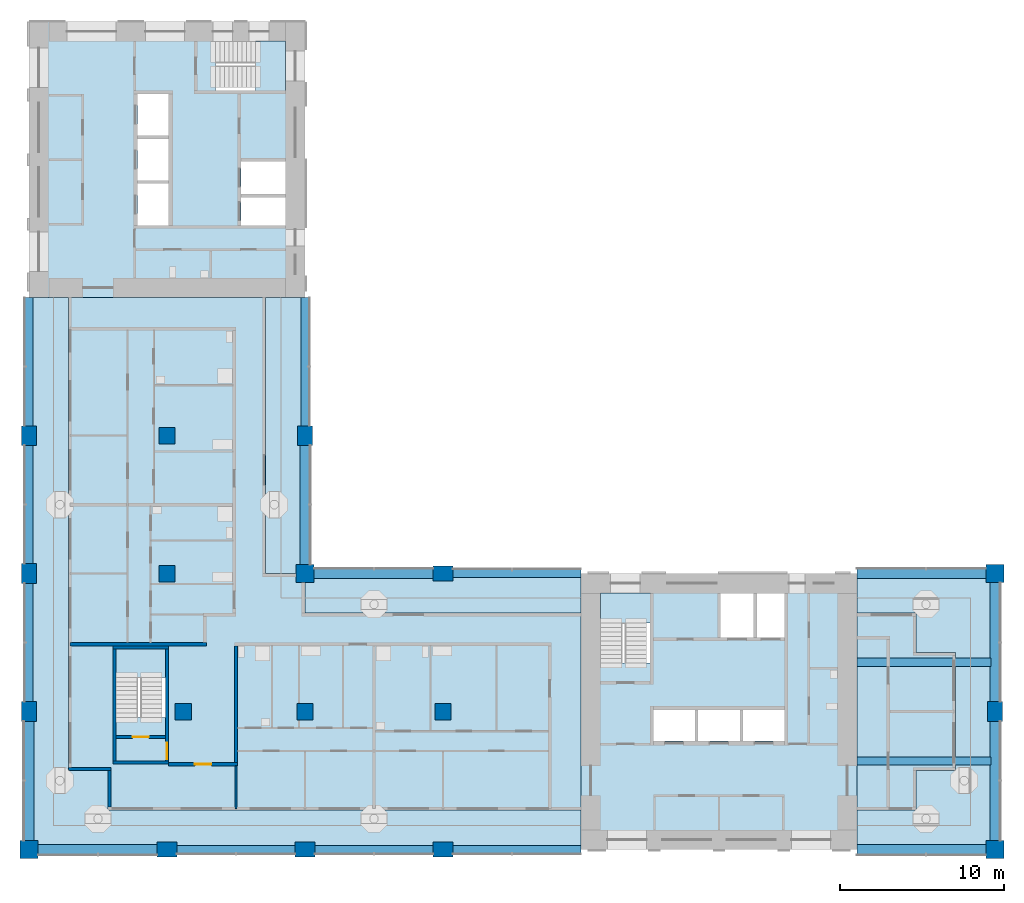
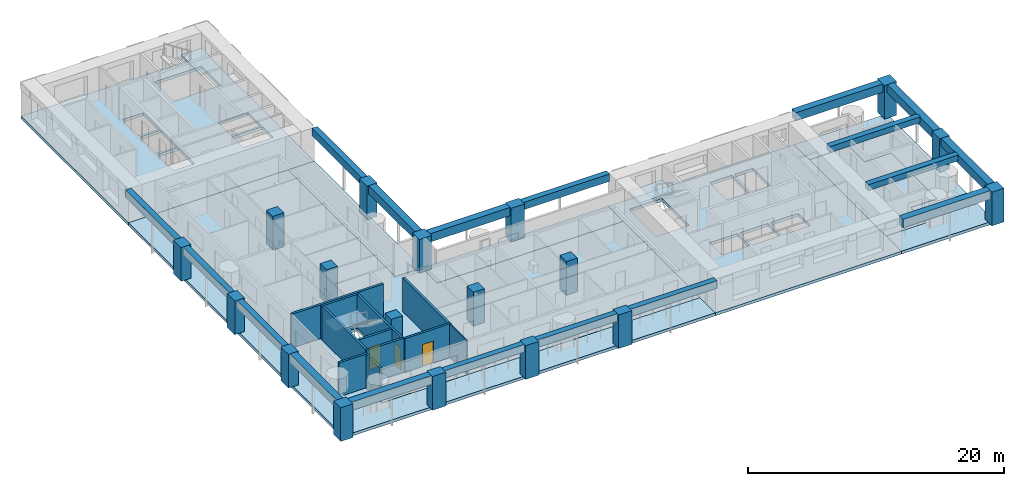
# One storey, part 1 of 13: 18 beams, 18 columns, 12 slabs, 11 walls, 3 doors, 3 openings, 3 elements without a shape of their own.
"""IFC4 building model written with IfcOpenShell, lengths in metres."""

from ifc_helpers import new_model, si_unit, direction, frame, frame_2d, origin, origin_2d, place, context, subcontext, project, spatial, polyline, rectangle, outline, extrude, material, layer, layer_set, material_profile, profile_set, type_object, element, fill, aggregate, save


model = new_model("IFC4")

# Units and contexts
model_context = context("Model", 3, precision=1e-05, world=origin(), true_north=direction((0.0, 1.0)))
body_context = subcontext(model_context, "Body", "Model", "MODEL_VIEW")
ifc_project = project(units=[si_unit("LENGTHUNIT", "METRE"), si_unit("AREAUNIT", "SQUARE_METRE"), si_unit("VOLUMEUNIT", "CUBIC_METRE"), si_unit("PLANEANGLEUNIT", "RADIAN"), si_unit("MASSUNIT", "GRAM", prefix="KILO")], contexts=[model_context])

# Site, building, storey
site_placement = place(None, origin())
site = spatial("IfcSite", under=ifc_project, at=site_placement, CompositionType="ELEMENT")
building_placement = place(site_placement, origin())
building = spatial("IfcBuilding", under=site, at=building_placement, Name="Vermilion Gate Residences", CompositionType="ELEMENT")
storey_placement = place(building_placement, frame((0.0, 0.0, 179.199951171875)))
storey = spatial("IfcBuildingStorey", under=building, at=storey_placement, Name="L46", CompositionType="ELEMENT", Elevation=179.199951171875)

# Columns
ifc_material_1 = material(Name="Concrete C60", Category="concrete")
ifc_material_profile_1 = material_profile(ifc_material_1, rectangle(XDim=1.0, YDim=1.0, at=origin_2d()), Name="RC-1000x1000")
ifc_profile_set_1 = profile_set([ifc_material_profile_1], Name="Concrete C60")
column_type_1 = type_object("IfcColumnType", Name="RC COLUMN 1000 X 1000 C60", PredefinedType="COLUMN", material=ifc_profile_set_1)
for number, where, z_axis, x_axis, name in (
    (1, (17.800048828125, 16.800048828125, 0.0), (0.0, 0.0, 1.0), (1.0, 0.0, 0.0), "Column 3-C L46"),
    (2, (16.800048828125, 25.199951171875, 0.0), (0.0, 0.0, 1.0), (1.0, 0.0, 0.0), "Column 3-D L46"),
    (3, (16.800048828125, 33.60009765625, 0.0), (0.0, 0.0, 1.0), (1.0, 0.0, 0.0), "Column 3-E L46"),
    (4, (25.199951171875, 16.800048828125, 0.0), (0.0, 0.0, 1.0), (1.0, 0.0, 0.0), "Column 4-C L46"),
    (5, (33.60009765625, 16.800048828125, 0.0), (0.0, 0.0, 1.0), (1.0, 0.0, 0.0), "Column 5-C L46"),
):
    element("IfcColumn", number, at=place(storey_placement, frame(where, z_axis=z_axis, x_axis=x_axis)), inside=storey, type_object=column_type_1, Name=name, PredefinedType="COLUMN", context=body_context, shape_type="SweptSolid", body=[
        extrude(rectangle(XDim=1.0, YDim=1.0, at=origin_2d()), origin(), (0.0, 0.0, 1.0), 3.219970703125),
    ])
ifc_material_2 = material(Name="Concrete C60", Category="concrete")
ifc_material_profile_2 = material_profile(ifc_material_2, rectangle(XDim=1.10009765625, YDim=1.10009765625, at=origin_2d()), Name="RC-1100x1100")
ifc_profile_set_2 = profile_set([ifc_material_profile_2], Name="Concrete C60")
column_type_2 = type_object("IfcColumnType", Name="RC COLUMN 1100 X 1100 C60", PredefinedType="COLUMN", material=ifc_profile_set_2)
for number, where, z_axis, x_axis, name in (
    (6, (8.39990234375, 8.39990234375, 0.0), (0.0, 0.0, 1.0), (1.0, 0.0, 0.0), "Column 2-B L46"),
    (7, (25.199951171875, 25.199951171875, 0.0), (0.0, 0.0, 1.0), (1.0, 0.0, 0.0), "Column 4-D L46"),
    (8, (67.199951171875, 8.39990234375, 0.0), (0.0, 0.0, 1.0), (1.0, 0.0, 0.0), "Column 9-B L46"),
    (9, (67.199951171875, 25.199951171875, 0.0), (0.0, 0.0, 1.0), (1.0, 0.0, 0.0), "Column 9-D L46"),
):
    element("IfcColumn", number, at=place(storey_placement, frame(where, z_axis=z_axis, x_axis=x_axis)), inside=storey, type_object=column_type_2, Name=name, PredefinedType="COLUMN", context=body_context, shape_type="SweptSolid", body=[
        extrude(rectangle(XDim=1.10009765625, YDim=1.10009765625, at=origin_2d()), origin(), (0.0, 0.0, 1.0), 3.219970703125),
    ])
ifc_material_3 = material(Name="Concrete C60", Category="concrete")
ifc_material_profile_3 = material_profile(ifc_material_3, rectangle(XDim=1.199951171875, YDim=0.89990234375, at=origin_2d()), Name="RC-1200x900")
ifc_profile_set_3 = profile_set([ifc_material_profile_3], Name="Concrete C60")
column_type_3 = type_object("IfcColumnType", Name="RC COLUMN 1200 X 900 C60", PredefinedType="COLUMN", material=ifc_profile_set_3)
for number, where, z_axis, x_axis, name in (
    (10, (8.39990234375, 16.800048828125, 0.0), (0.0, 0.0, 1.0), (0.0, 1.0, 0.0), "Column 2-C L46"),
    (11, (8.39990234375, 25.199951171875, 0.0), (0.0, 0.0, 1.0), (0.0, 1.0, 0.0), "Column 2-D L46"),
    (12, (8.39990234375, 33.60009765625, 0.0), (0.0, 0.0, 1.0), (0.0, 1.0, 0.0), "Column 2-E L46"),
    (13, (16.800048828125, 8.39990234375, 0.0), (0.0, 0.0, 1.0), (1.0, 0.0, 0.0), "Column 3-B L46"),
    (14, (25.199951171875, 8.39990234375, 0.0), (0.0, 0.0, 1.0), (1.0, 0.0, 0.0), "Column 4-B L46"),
    (15, (25.199951171875, 33.60009765625, 0.0), (0.0, 0.0, 1.0), (0.0, 1.0, 0.0), "Column 4-E L46"),
    (16, (33.60009765625, 8.39990234375, 0.0), (0.0, 0.0, 1.0), (1.0, 0.0, 0.0), "Column 5-B L46"),
    (17, (33.60009765625, 25.199951171875, 0.0), (0.0, 0.0, 1.0), (1.0, 0.0, 0.0), "Column 5-D L46"),
    (18, (67.199951171875, 16.800048828125, 0.0), (0.0, 0.0, 1.0), (0.0, 1.0, 0.0), "Column 9-C L46"),
):
    element("IfcColumn", number, at=place(storey_placement, frame(where, z_axis=z_axis, x_axis=x_axis)), inside=storey, type_object=column_type_3, Name=name, PredefinedType="COLUMN", context=body_context, shape_type="SweptSolid", body=[
        extrude(rectangle(XDim=1.199951171875, YDim=0.89990234375, at=origin_2d()), origin(), (0.0, 0.0, 1.0), 3.219970703125),
    ])

# Beams
ifc_material_4 = material(Name="Concrete C60 red-oxide pigmented", Category="concrete")
ifc_material_profile_4 = material_profile(ifc_material_4, rectangle(XDim=0.60009765625, YDim=0.800048828125, at=origin_2d()), Name="RC-600x800")
ifc_profile_set_4 = profile_set([ifc_material_profile_4], Name="Concrete C60 red-oxide pigmented")
beam_type_1 = type_object("IfcBeamType", Name="RC CORNER EDGE BEAM 600 X 800 C60", PredefinedType="BEAM", material=ifc_profile_set_4)
for number, where, z_axis, x_axis, name in (
    (19, (8.949951171875, 8.39990234375, 2.820068359375), (1.0, 0.0, 0.0), (0.0, 1.0, 0.0), "Corner edge beam L46 1"),
    (20, (8.39990234375, 8.949951171875, 2.820068359375), (0.0, 1.0, 0.0), (-1.0, 0.0, 0.0), "Corner edge beam L46 2"),
    (21, (25.199951171875, 25.75, 2.820068359375), (0.0, 1.0, 0.0), (-1.0, 0.0, 0.0), "Corner edge beam L46 7"),
    (22, (25.75, 25.199951171875, 2.820068359375), (1.0, 0.0, 0.0), (0.0, 1.0, 0.0), "Corner edge beam L46 10"),
):
    element("IfcBeam", number, at=place(storey_placement, frame(where, z_axis=z_axis, x_axis=x_axis)), inside=storey, type_object=beam_type_1, Name=name, PredefinedType="BEAM", context=body_context, shape_type="SweptSolid", body=[
        extrude(rectangle(XDim=0.60009765625, YDim=0.800048828125, at=origin_2d()), origin(), (0.0, 0.0, 1.0), 7.25),
    ])
beam_1_placement = place(storey_placement, frame((58.800048828125, 8.39990234375, 2.820068359375), z_axis=(1.0, 0.0, 0.0), x_axis=(0.0, 1.0, 0.0)))
element("IfcBeam", 23, at=beam_1_placement, inside=storey, type_object=beam_type_1, Name="Corner edge beam L46 13", PredefinedType="BEAM", context=body_context, shape_type="SweptSolid", body=[
    extrude(rectangle(XDim=0.60009765625, YDim=0.800048828125, at=origin_2d()), origin(), (0.0, 0.0, 1.0), 7.849853515625),
])
for number, where, z_axis, x_axis, name in (
    (24, (67.199951171875, 8.949951171875, 2.820068359375), (0.0, 1.0, 0.0), (-1.0, 0.0, 0.0), "Corner edge beam L46 14"),
    (25, (67.199951171875, 17.39990234375, 2.820068359375), (0.0, 1.0, 0.0), (-1.0, 0.0, 0.0), "Corner edge beam L46 15"),
):
    element("IfcBeam", number, at=place(storey_placement, frame(where, z_axis=z_axis, x_axis=x_axis)), inside=storey, type_object=beam_type_1, Name=name, PredefinedType="BEAM", context=body_context, shape_type="SweptSolid", body=[
        extrude(rectangle(XDim=0.60009765625, YDim=0.800048828125, at=origin_2d()), origin(), (0.0, 0.0, 1.0), 7.25),
    ])
beam_2_placement = place(storey_placement, frame((58.800048828125, 25.199951171875, 2.820068359375), z_axis=(1.0, 0.0, 0.0), x_axis=(0.0, 1.0, 0.0)))
element("IfcBeam", 26, at=beam_2_placement, inside=storey, type_object=beam_type_1, Name="Corner edge beam L46 16", PredefinedType="BEAM", context=body_context, shape_type="SweptSolid", body=[
    extrude(rectangle(XDim=0.60009765625, YDim=0.800048828125, at=origin_2d()), origin(), (0.0, 0.0, 1.0), 7.849853515625),
])
ifc_material_5 = material(Name="Concrete C60 red-oxide pigmented", Category="concrete")
ifc_material_profile_5 = material_profile(ifc_material_5, rectangle(XDim=0.5, YDim=0.699951171875, at=origin_2d()), Name="RC-500x700")
ifc_profile_set_5 = profile_set([ifc_material_profile_5], Name="Concrete C60 red-oxide pigmented")
beam_type_2 = type_object("IfcBeamType", Name="RC EDGE BEAM 500 X 700 C60", PredefinedType="BEAM", material=ifc_profile_set_5)
beam_3_placement = place(storey_placement, frame((8.39990234375, 17.39990234375, 2.8701171875), z_axis=(0.0, 1.0, 0.0), x_axis=(-1.0, 0.0, 0.0)))
element("IfcBeam", 27, at=beam_3_placement, inside=storey, type_object=beam_type_2, Name="Edge beam L46 3", PredefinedType="BEAM", context=body_context, shape_type="SweptSolid", body=[
    extrude(rectangle(XDim=0.5, YDim=0.699951171875, at=origin_2d()), origin(), (0.0, 0.0, 1.0), 7.2001953125),
])
beam_4_placement = place(storey_placement, frame((8.39990234375, 25.800048828125, 2.8701171875), z_axis=(0.0, 1.0, 0.0), x_axis=(-1.0, 0.0, 0.0)))
element("IfcBeam", 28, at=beam_4_placement, inside=storey, type_object=beam_type_2, Name="Edge beam L46 4", PredefinedType="BEAM", context=body_context, shape_type="SweptSolid", body=[
    extrude(rectangle(XDim=0.5, YDim=0.699951171875, at=origin_2d()), origin(), (0.0, 0.0, 1.0), 7.199951171875),
])
beam_5_placement = place(storey_placement, frame((8.39990234375, 34.199951171875, 2.8701171875), z_axis=(0.0, 1.0, 0.0), x_axis=(-1.0, 0.0, 0.0)))
element("IfcBeam", 29, at=beam_5_placement, inside=storey, type_object=beam_type_2, Name="Edge beam L46 5", PredefinedType="BEAM", context=body_context, shape_type="SweptSolid", body=[
    extrude(rectangle(XDim=0.5, YDim=0.699951171875, at=origin_2d()), origin(), (0.0, 0.0, 1.0), 7.800048828125),
])
beam_6_placement = place(storey_placement, frame((17.39990234375, 8.39990234375, 2.8701171875), z_axis=(1.0, 0.0, 0.0), x_axis=(0.0, 1.0, 0.0)))
element("IfcBeam", 30, at=beam_6_placement, inside=storey, type_object=beam_type_2, Name="Edge beam L46 6", PredefinedType="BEAM", context=body_context, shape_type="SweptSolid", body=[
    extrude(rectangle(XDim=0.5, YDim=0.699951171875, at=origin_2d()), origin(), (0.0, 0.0, 1.0), 7.2001953125),
])
beam_7_placement = place(storey_placement, frame((25.199951171875, 34.199951171875, 2.8701171875), z_axis=(0.0, 1.0, 0.0), x_axis=(-1.0, 0.0, 0.0)))
element("IfcBeam", 31, at=beam_7_placement, inside=storey, type_object=beam_type_2, Name="Edge beam L46 8", PredefinedType="BEAM", context=body_context, shape_type="SweptSolid", body=[
    extrude(rectangle(XDim=0.5, YDim=0.699951171875, at=origin_2d()), origin(), (0.0, 0.0, 1.0), 7.800048828125),
])
beam_8_placement = place(storey_placement, frame((25.800048828125, 8.39990234375, 2.8701171875), z_axis=(1.0, 0.0, 0.0), x_axis=(0.0, 1.0, 0.0)))
element("IfcBeam", 32, at=beam_8_placement, inside=storey, type_object=beam_type_2, Name="Edge beam L46 9", PredefinedType="BEAM", context=body_context, shape_type="SweptSolid", body=[
    extrude(rectangle(XDim=0.5, YDim=0.699951171875, at=origin_2d()), origin(), (0.0, 0.0, 1.0), 7.199951171875),
])
for number, where, z_axis, x_axis, name in (
    (33, (34.199951171875, 8.39990234375, 2.8701171875), (1.0, 0.0, 0.0), (0.0, 1.0, 0.0), "Edge beam L46 11"),
    (34, (34.199951171875, 25.199951171875, 2.8701171875), (1.0, 0.0, 0.0), (0.0, 1.0, 0.0), "Edge beam L46 12"),
):
    element("IfcBeam", number, at=place(storey_placement, frame(where, z_axis=z_axis, x_axis=x_axis)), inside=storey, type_object=beam_type_2, Name=name, PredefinedType="BEAM", context=body_context, shape_type="SweptSolid", body=[
        extrude(rectangle(XDim=0.5, YDim=0.699951171875, at=origin_2d()), origin(), (0.0, 0.0, 1.0), 7.800048828125),
    ])
ifc_material_6 = material(Name="Concrete C60", Category="concrete")
ifc_material_profile_6 = material_profile(ifc_material_6, rectangle(XDim=0.5, YDim=0.550048828125, at=origin_2d()), Name="RC-500x550")
ifc_profile_set_6 = profile_set([ifc_material_profile_6], Name="Concrete C60")
beam_type_3 = type_object("IfcBeamType", Name="RC WING BEAM 500 X 550 C60", PredefinedType="BEAM", material=ifc_profile_set_6)
for number, where, z_axis, x_axis, name in (
    (35, (58.800048828125, 13.800048828125, 2.945068359375), (1.0, 0.0, 0.0), (0.0, 1.0, 0.0), "Wing-end beam L46 1"),
    (36, (58.800048828125, 19.800048828125, 2.945068359375), (1.0, 0.0, 0.0), (0.0, 1.0, 0.0), "Wing-end beam L46 2"),
):
    element("IfcBeam", number, at=place(storey_placement, frame(where, z_axis=z_axis, x_axis=x_axis)), inside=storey, type_object=beam_type_3, Name=name, PredefinedType="BEAM", context=body_context, shape_type="SweptSolid", body=[
        extrude(rectangle(XDim=0.5, YDim=0.550048828125, at=origin_2d()), origin(), (0.0, 0.0, 1.0), 8.14990234375),
    ])

# Slabs
ifc_material_7 = material(Name="Concrete C50", Category="concrete")
ifc_layer_1 = layer(ifc_material_7, 0.280029296875)
ifc_layer_set_1 = layer_set([ifc_layer_1], Name="RC CORE FLOOR SLAB 280 C50")
slab_type_1 = type_object("IfcSlabType", Name="RC CORE FLOOR SLAB 280 C50", PredefinedType="FLOOR", material=ifc_layer_set_1)
slab_1_placement = place(storey_placement, frame((0.0, 0.0, -0.280029296875)))
element("IfcSlab", 37, at=slab_1_placement, inside=storey, type_object=slab_type_1, Name="Core floor slab A46", PredefinedType="FLOOR", context=body_context, shape_type="SweptSolid", body=[
    extrude(outline(polyline([(42.0, 8.39990234375), (58.800048828125, 8.39990234375), (58.800048828125, 25.199951171875), (42.0, 25.199951171875), (42.0, 8.39990234375)]), holes=[polyline([(46.39990234375, 15.0), (46.39990234375, 16.89990234375), (48.933349609375, 16.89990234375), (48.933349609375, 15.0), (46.39990234375, 15.0)]), polyline([(49.13330078125, 16.89990234375), (51.666748046875, 16.89990234375), (51.666748046875, 15.0), (49.13330078125, 15.0), (49.13330078125, 16.89990234375)]), polyline([(51.86669921875, 16.89990234375), (54.39990234375, 16.89990234375), (54.39990234375, 15.0), (51.86669921875, 15.0), (51.86669921875, 16.89990234375)]), polyline([(43.199951171875, 19.75), (43.199951171875, 24.0), (46.199951171875, 24.0), (46.199951171875, 19.75), (43.199951171875, 19.75)]), polyline([(50.5, 24.0), (52.5, 24.0), (52.5, 21.300048828125), (50.5, 21.300048828125), (50.5, 24.0)]), polyline([(52.699951171875, 24.0), (54.39990234375, 24.0), (54.39990234375, 21.300048828125), (52.699951171875, 21.300048828125), (52.699951171875, 24.0)])]), origin(), (0.0, 0.0, 1.0), 0.280029296875),
])
slab_2_placement = place(storey_placement, frame((0.0, 0.0, -0.280029296875)))
element("IfcSlab", 38, at=slab_2_placement, inside=storey, type_object=slab_type_1, Name="Core floor slab B46", PredefinedType="FLOOR", context=body_context, shape_type="SweptSolid", body=[
    extrude(outline(polyline([(8.39990234375, 42.0), (25.199951171875, 42.0), (25.199951171875, 58.800048828125), (8.39990234375, 58.800048828125), (8.39990234375, 42.0)]), holes=[polyline([(21.300048828125, 46.39990234375), (21.300048828125, 48.10009765625), (24.0, 48.10009765625), (24.0, 46.39990234375), (21.300048828125, 46.39990234375)]), polyline([(15.0, 48.933349609375), (16.89990234375, 48.933349609375), (16.89990234375, 46.39990234375), (15.0, 46.39990234375), (15.0, 48.933349609375)]), polyline([(21.300048828125, 50.300048828125), (24.0, 50.300048828125), (24.0, 48.300048828125), (21.300048828125, 48.300048828125), (21.300048828125, 50.300048828125)]), polyline([(15.0, 49.13330078125), (15.0, 51.666748046875), (16.89990234375, 51.666748046875), (16.89990234375, 49.13330078125), (15.0, 49.13330078125)]), polyline([(15.0, 54.39990234375), (16.89990234375, 54.39990234375), (16.89990234375, 51.86669921875), (15.0, 51.86669921875), (15.0, 54.39990234375)]), polyline([(19.75, 57.60009765625), (24.0, 57.60009765625), (24.0, 54.60009765625), (19.75, 54.60009765625), (19.75, 57.60009765625)])]), origin(), (0.0, 0.0, 1.0), 0.280029296875),
])
slab_3_placement = place(storey_placement, frame((0.0, 0.0, -0.280029296875)))
element("IfcSlab", 39, at=slab_3_placement, inside=storey, type_object=slab_type_1, Name="Apex stair floor slab 46", PredefinedType="FLOOR", context=body_context, shape_type="SweptSolid", body=[
    extrude(outline(polyline([(13.5, 13.60009765625), (16.89990234375, 13.60009765625), (16.89990234375, 20.800048828125), (13.5, 20.800048828125), (13.5, 13.60009765625)]), holes=[polyline([(16.699951171875, 20.60009765625), (16.699951171875, 16.449951171875), (13.699951171875, 16.449951171875), (13.699951171875, 20.60009765625), (16.699951171875, 20.60009765625)])]), origin(), (0.0, 0.0, 1.0), 0.280029296875),
])
ifc_material_8 = material(Name="Concrete C50", Category="concrete")
ifc_layer_2 = layer(ifc_material_8, 0.280029296875)
ifc_layer_set_2 = layer_set([ifc_layer_2], Name="RC FLAT PLATE 280 C50")
slab_type_2 = type_object("IfcSlabType", Name="RC FLAT PLATE 280 C50", PredefinedType="FLOOR", material=ifc_layer_set_2)
slab_4_placement = place(storey_placement, frame((0.0, 0.0, -0.280029296875)))
element("IfcSlab", 40, at=slab_4_placement, inside=storey, type_object=slab_type_2, Name="Floor slab L46", PredefinedType="FLOOR", context=body_context, shape_type="SweptSolid", body=[
    extrude(outline(polyline([(22.800048828125, 25.199951171875), (22.800048828125, 42.0), (10.800048828125, 42.0), (10.800048828125, 13.199951171875), (13.199951171875, 13.199951171875), (13.199951171875, 10.800048828125), (42.0, 10.800048828125), (42.0, 22.800048828125), (25.199951171875, 22.800048828125), (25.199951171875, 25.199951171875), (22.800048828125, 25.199951171875)]), holes=[polyline([(13.5, 13.60009765625), (13.5, 20.800048828125), (16.89990234375, 20.800048828125), (16.89990234375, 13.60009765625), (13.5, 13.60009765625)])]), origin(), (0.0, 0.0, 1.0), 0.280029296875),
])
slab_5_placement = place(storey_placement, frame((0.0, 0.0, -0.280029296875)))
element("IfcSlab", 41, at=slab_5_placement, inside=storey, type_object=slab_type_2, Name="Floor slab L46", PredefinedType="FLOOR", context=body_context, shape_type="SweptSolid", body=[
    extrude(outline(polyline([(58.800048828125, 22.800048828125), (58.800048828125, 10.800048828125), (62.39990234375, 10.800048828125), (62.39990234375, 13.199951171875), (64.800048828125, 13.199951171875), (64.800048828125, 20.39990234375), (62.39990234375, 20.39990234375), (62.39990234375, 22.800048828125), (58.800048828125, 22.800048828125)])), origin(), (0.0, 0.0, 1.0), 0.280029296875),
])
ifc_material_9 = material(Name="Concrete C50 red-oxide pigmented", Category="concrete")
ifc_layer_3 = layer(ifc_material_9, 0.280029296875)
ifc_layer_set_3 = layer_set([ifc_layer_3], Name="RC LOGGIA SLAB 280 C50")
slab_type_3 = type_object("IfcSlabType", Name="RC LOGGIA SLAB 280 C50", PredefinedType="FLOOR", material=ifc_layer_set_3)
slab_6_placement = place(storey_placement, frame((0.0, 0.0, -0.280029296875)))
element("IfcSlab", 42, at=slab_6_placement, inside=storey, type_object=slab_type_3, Name="Loggia slab L46", PredefinedType="FLOOR", context=body_context, shape_type="SweptSolid", body=[
    extrude(outline(polyline([(8.39990234375, 42.0), (8.39990234375, 8.39990234375), (42.0, 8.39990234375), (42.0, 10.800048828125), (13.199951171875, 10.800048828125), (13.199951171875, 13.199951171875), (10.800048828125, 13.199951171875), (10.800048828125, 42.0), (8.39990234375, 42.0)])), origin(), (0.0, 0.0, 1.0), 0.280029296875),
])
slab_7_placement = place(storey_placement, frame((0.0, 0.0, -0.280029296875)))
element("IfcSlab", 43, at=slab_7_placement, inside=storey, type_object=slab_type_3, Name="Loggia slab L46", PredefinedType="FLOOR", context=body_context, shape_type="SweptSolid", body=[
    extrude(outline(polyline([(64.800048828125, 13.199951171875), (62.39990234375, 13.199951171875), (62.39990234375, 10.800048828125), (58.800048828125, 10.800048828125), (58.800048828125, 8.39990234375), (67.199951171875, 8.39990234375), (67.199951171875, 25.199951171875), (58.800048828125, 25.199951171875), (58.800048828125, 22.800048828125), (62.39990234375, 22.800048828125), (62.39990234375, 20.39990234375), (64.800048828125, 20.39990234375), (64.800048828125, 13.199951171875)])), origin(), (0.0, 0.0, 1.0), 0.280029296875),
])
slab_8_placement = place(storey_placement, frame((0.0, 0.0, -0.280029296875)))
element("IfcSlab", 44, at=slab_8_placement, inside=storey, type_object=slab_type_3, Name="Loggia slab L46", PredefinedType="FLOOR", context=body_context, shape_type="SweptSolid", body=[
    extrude(outline(polyline([(42.0, 25.199951171875), (25.199951171875, 25.199951171875), (25.199951171875, 22.800048828125), (42.0, 22.800048828125), (42.0, 25.199951171875)])), origin(), (0.0, 0.0, 1.0), 0.280029296875),
])
slab_9_placement = place(storey_placement, frame((0.0, 0.0, -0.280029296875)))
element("IfcSlab", 45, at=slab_9_placement, inside=storey, type_object=slab_type_3, Name="Loggia slab L46", PredefinedType="FLOOR", context=body_context, shape_type="SweptSolid", body=[
    extrude(outline(polyline([(22.800048828125, 42.0), (22.800048828125, 25.199951171875), (25.199951171875, 25.199951171875), (25.199951171875, 42.0), (22.800048828125, 42.0)])), origin(), (0.0, 0.0, 1.0), 0.280029296875),
])

# Stair, slab
ifc_material_10 = material(Name="Concrete C50", Category="concrete")
stair_type = type_object("IfcStairType", Name="SPECIAL ESCAPE STAIR 1300", PredefinedType="HALF_TURN_STAIR", material=ifc_material_10)
stair_1_placement = place(storey_placement, origin())
stair_1 = element("IfcStair", 46, at=stair_1_placement, inside=storey, type_object=stair_type, Name="Special escape stair STA1-46", PredefinedType="HALF_TURN_STAIR")
ifc_material_11 = material(Name="Concrete C50", Category="concrete")
ifc_layer_4 = layer(ifc_material_11, 0.199951171875)
ifc_layer_set_4 = layer_set([ifc_layer_4], Name="STAIR LANDING 200 C50")
slab_type_4 = type_object("IfcSlabType", Name="STAIR LANDING 200 C50", PredefinedType="LANDING", material=ifc_layer_set_4)
slab_10_placement = place(storey_placement, frame((0.0, 0.0, 1.550048828125)))
slab_10 = element("IfcSlab", 47, at=slab_10_placement, type_object=slab_type_4, Name="STA1-46 landing 1", PredefinedType="LANDING", context=body_context, shape_type="SweptSolid", body=[
    extrude(outline(polyline([(46.219970703125, 22.179931640625), (46.219970703125, 24.02001953125), (43.179931640625, 24.02001953125), (43.179931640625, 22.179931640625), (46.219970703125, 22.179931640625)])), origin(), (0.0, 0.0, 1.0), 0.199951171875),
])
aggregate(stair_1, [slab_10])

stair_2_placement = place(storey_placement, origin())
stair_2 = element("IfcStair", 48, at=stair_2_placement, inside=storey, type_object=stair_type, Name="Special escape stair STB1-46", PredefinedType="HALF_TURN_STAIR")
slab_11_placement = place(storey_placement, frame((0.0, 0.0, 1.550048828125)))
slab_11 = element("IfcSlab", 49, at=slab_11_placement, type_object=slab_type_4, Name="STB1-46 landing 1", PredefinedType="LANDING", context=body_context, shape_type="SweptSolid", body=[
    extrude(outline(polyline([(24.02001953125, 54.580078125), (24.02001953125, 57.6201171875), (22.179931640625, 57.6201171875), (22.179931640625, 54.580078125), (24.02001953125, 54.580078125)])), origin(), (0.0, 0.0, 1.0), 0.199951171875),
])
aggregate(stair_2, [slab_11])

stair_3_placement = place(storey_placement, origin())
stair_3 = element("IfcStair", 50, at=stair_3_placement, inside=storey, type_object=stair_type, Name="Special escape stair STC1-46", PredefinedType="HALF_TURN_STAIR")
slab_12_placement = place(storey_placement, frame((0.0, 0.0, 1.550048828125)))
slab_12 = element("IfcSlab", 51, at=slab_12_placement, type_object=slab_type_4, Name="STC1-46 landing 1", PredefinedType="LANDING", context=body_context, shape_type="SweptSolid", body=[
    extrude(outline(polyline([(16.719970703125, 18.8798828125), (16.719970703125, 20.6201171875), (13.679931640625, 20.6201171875), (13.679931640625, 18.8798828125), (16.719970703125, 18.8798828125)])), origin(), (0.0, 0.0, 1.0), 0.199951171875),
])
aggregate(stair_3, [slab_12])

# Walls
ifc_material_12 = material(Name="Insulated steel stud wall with terracotta rainscreen", Category="masonry")
ifc_layer_5 = layer(ifc_material_12, 0.199951171875)
ifc_layer_set_5 = layer_set([ifc_layer_5], Name="EXTERNAL WALL 200 TERRACOTTA RAINSCREEN")
wall_type_1 = type_object("IfcWallType", Name="EXTERNAL WALL 200 TERRACOTTA RAINSCREEN", PredefinedType="SOLIDWALL", material=ifc_layer_set_5)
wall_1_placement = place(storey_placement, frame((10.800048828125, 13.300048828125, 0.0), z_axis=(0.0, 0.0, 1.0), x_axis=(1.0, 0.0, 0.0)))
element("IfcWall", 52, at=wall_1_placement, inside=storey, type_object=wall_type_1, Name="External wall", PredefinedType="SOLIDWALL", context=body_context, shape_type="SweptSolid", body=[
    extrude(rectangle(XDim=2.599853515625, YDim=0.199951171875, at=frame_2d((1.2998046875, 0.0))), origin(), (0.0, 0.0, 1.0), 3.219970703125),
])
wall_2_placement = place(storey_placement, frame((13.300048828125, 13.199951171875, 0.0), z_axis=(0.0, 0.0, 1.0), x_axis=(0.0, -1.0, 0.0)))
element("IfcWall", 53, at=wall_2_placement, inside=storey, type_object=wall_type_1, Name="External wall", PredefinedType="SOLIDWALL", context=body_context, shape_type="SweptSolid", body=[
    extrude(rectangle(XDim=2.199951171875, YDim=0.199951171875, at=frame_2d((1.10009765625, 0.0))), origin(), (0.0, 0.0, 1.0), 3.219970703125),
])
ifc_material_13 = material(Name="Plasterboard on steel studs", Category="steel")
ifc_layer_6 = layer(ifc_material_13, 0.10009765625)
ifc_layer_set_6 = layer_set([ifc_layer_6], Name="PARTITION 100")
wall_type_2 = type_object("IfcWallType", Name="PARTITION 100", PredefinedType="PARTITIONING", material=ifc_layer_set_6)
wall_3_placement = place(storey_placement, frame((21.0, 10.89990234375, 0.0), z_axis=(0.0, 0.0, 1.0), x_axis=(0.0, 1.0, 0.0)))
element("IfcWall", 54, at=wall_3_placement, inside=storey, type_object=wall_type_2, Name="Partition", PredefinedType="PARTITIONING", context=body_context, shape_type="SweptSolid", body=[
    extrude(rectangle(XDim=2.60009765625, YDim=0.10009765625, at=frame_2d((1.300048828125, 0.0))), origin(), (0.0, 0.0, 1.0), 3.219970703125),
])

# Wall, opening, door
ifc_material_14 = material(Name="Fire-rated plasterboard on steel studs", Category="steel")
ifc_layer_7 = layer(ifc_material_14, 0.199951171875)
ifc_layer_set_7 = layer_set([ifc_layer_7], Name="PARTY WALL 200 EI 120")
wall_type_3 = type_object("IfcWallType", Name="PARTY WALL 200 EI 120", PredefinedType="PARTITIONING", material=ifc_layer_set_7)
wall_4_placement = place(storey_placement, frame((16.89990234375, 13.60009765625, 0.0), z_axis=(0.0, 0.0, 1.0), x_axis=(1.0, 0.0, 0.0)))
wall_4 = element("IfcWall", 55, at=wall_4_placement, inside=storey, type_object=wall_type_3, Name="Party and corridor wall", PredefinedType="PARTITIONING", context=body_context, shape_type="SweptSolid", body=[
    extrude(rectangle(XDim=4.2001953125, YDim=0.199951171875, at=frame_2d((2.10009765625, 0.0))), origin(), (0.0, 0.0, 1.0), 3.219970703125),
])
opening_1_placement = place(wall_4_placement, frame((1.60009765625, 0.0, 0.0)))
opening_1 = element("IfcOpeningElement", 56, at=opening_1_placement, cuts=wall_4, Name="Opening DA46001", PredefinedType="OPENING", context=body_context, shape_type="SweptSolid", body=[
    extrude(rectangle(XDim=1.0, YDim=2.10009765625, at=frame_2d((0.5, 1.050048828125))), frame((0.0, 0.10986328125, 0.0), z_axis=(0.0, -1.0, 0.0), x_axis=(1.0, 0.0, 0.0)), (0.0, 0.0, 1.0), 0.219970703125),
])
ifc_material_15 = material(Name="Steel", Category="steel")
door_type_1 = type_object("IfcDoorType", Name="ENTRANCE DOOR 1000 X 2100 FD30", OperationType="SINGLE_SWING_LEFT", PredefinedType="DOOR", material=ifc_material_15)
door_1_placement = place(opening_1_placement, frame((1.0, 0.0, 0.0), z_axis=(0.0, 0.0, 1.0), x_axis=(-1.0, 0.0, 0.0)))
door_1 = element("IfcDoor", 57, at=door_1_placement, inside=storey, type_object=door_type_1, Name="Entrance door", OperationType="SINGLE_SWING_LEFT", OverallHeight=2.10009765625, OverallWidth=1.0, PredefinedType="DOOR", context=body_context, shape_type="SweptSolid", body=[
    extrude(rectangle(XDim=1.0, YDim=2.10009765625, at=frame_2d((0.5, 1.050048828125))), frame((0.0, 0.02490234375, 0.0), z_axis=(0.0, -1.0, 0.0), x_axis=(1.0, 0.0, 0.0)), (0.0, 0.0, 1.0), 0.050048828125),
])
fill(opening_1, door_1)

# Walls
wall_5_placement = place(storey_placement, frame((10.89990234375, 20.89990234375, 0.0), z_axis=(0.0, 0.0, 1.0), x_axis=(1.0, 0.0, 0.0)))
element("IfcWall", 58, at=wall_5_placement, inside=storey, type_object=wall_type_3, Name="Party and corridor wall", PredefinedType="PARTITIONING", context=body_context, shape_type="SweptSolid", body=[
    extrude(rectangle(XDim=8.300048828125, YDim=0.199951171875, at=frame_2d((4.14990234375, 0.0))), origin(), (0.0, 0.0, 1.0), 3.219970703125),
])
wall_6_placement = place(storey_placement, frame((21.0, 13.699951171875, 0.0), z_axis=(0.0, 0.0, 1.0), x_axis=(0.0, 1.0, 0.0)))
element("IfcWall", 59, at=wall_6_placement, inside=storey, type_object=wall_type_3, Name="Party and corridor wall", PredefinedType="PARTITIONING", context=body_context, shape_type="SweptSolid", body=[
    extrude(rectangle(XDim=7.10009765625, YDim=0.199951171875, at=frame_2d((3.550048828125, 0.0))), origin(), (0.0, 0.0, 1.0), 3.219970703125),
])
ifc_material_16 = material(Name="Concrete C60", Category="concrete")
ifc_layer_8 = layer(ifc_material_16, 0.199951171875)
ifc_layer_set_8 = layer_set([ifc_layer_8], Name="RC CORE INTERNAL WALL 200 C60")
wall_type_4 = type_object("IfcWallType", Name="RC CORE INTERNAL WALL 200 C60", PredefinedType="SHEAR", material=ifc_layer_set_8)
wall_7_placement = place(storey_placement, frame((13.60009765625, 13.800048828125, 0.0), z_axis=(0.0, 0.0, 1.0), x_axis=(0.0, 1.0, 0.0)))
element("IfcWall", 60, at=wall_7_placement, inside=storey, type_object=wall_type_4, Name="Core internal wall C46-W", PredefinedType="SHEAR", context=body_context, shape_type="SweptSolid", body=[
    extrude(rectangle(XDim=6.800048828125, YDim=0.199951171875, at=frame_2d((3.39990234375, 0.0))), origin(), (0.0, 0.0, 1.0), 3.219970703125),
])

# Wall, opening, door
wall_8_placement = place(storey_placement, frame((16.800048828125, 13.800048828125, 0.0), z_axis=(0.0, 0.0, 1.0), x_axis=(0.0, 1.0, 0.0)))
wall_8 = element("IfcWall", 61, at=wall_8_placement, inside=storey, type_object=wall_type_4, Name="Core internal wall C46-E", PredefinedType="SHEAR", context=body_context, shape_type="SweptSolid", body=[
    extrude(rectangle(XDim=6.800048828125, YDim=0.199951171875, at=frame_2d((3.39990234375, 0.0))), origin(), (0.0, 0.0, 1.0), 3.219970703125),
])
opening_2_placement = place(wall_8_placement, frame((0.10009765625, 0.0, 0.0)))
opening_2 = element("IfcOpeningElement", 62, at=opening_2_placement, cuts=wall_8, Name="Opening DK46201", PredefinedType="OPENING", context=body_context, shape_type="SweptSolid", body=[
    extrude(rectangle(XDim=1.0, YDim=2.10009765625, at=frame_2d((0.5, 1.050048828125))), frame((0.0, 0.10986328125, 0.0), z_axis=(0.0, -1.0, 0.0), x_axis=(1.0, 0.0, 0.0)), (0.0, 0.0, 1.0), 0.219970703125),
])
ifc_material_17 = material(Name="Steel", Category="steel")
door_type_2 = type_object("IfcDoorType", Name="FIRE DOOR FD60 1000 X 2100", OperationType="SINGLE_SWING_LEFT", PredefinedType="DOOR", material=ifc_material_17)
door_2_placement = place(opening_2_placement, frame((1.0, 0.0, 0.0), z_axis=(0.0, 0.0, 1.0), x_axis=(-1.0, 0.0, 0.0)))
door_2 = element("IfcDoor", 63, at=door_2_placement, inside=storey, type_object=door_type_2, Name="Stair vestibule door C46", OperationType="SINGLE_SWING_RIGHT", OverallHeight=2.10009765625, OverallWidth=1.0, PredefinedType="DOOR", context=body_context, shape_type="SweptSolid", body=[
    extrude(rectangle(XDim=1.0, YDim=2.10009765625, at=frame_2d((0.5, 1.050048828125))), frame((0.0, 0.02490234375, 0.0), z_axis=(0.0, -1.0, 0.0), x_axis=(1.0, 0.0, 0.0)), (0.0, 0.0, 1.0), 0.050048828125),
])
fill(opening_2, door_2)

# Walls
for number, where, z_axis, x_axis, name in (
    (64, (13.5, 13.699951171875, 0.0), (0.0, 0.0, 1.0), (1.0, 0.0, 0.0), "Core internal wall C46-S"),
    (65, (13.5, 20.699951171875, 0.0), (0.0, 0.0, 1.0), (1.0, 0.0, 0.0), "Core internal wall C46-N"),
):
    element("IfcWall", number, at=place(storey_placement, frame(where, z_axis=z_axis, x_axis=x_axis)), inside=storey, type_object=wall_type_4, Name=name, PredefinedType="SHEAR", context=body_context, shape_type="SweptSolid", body=[
        extrude(rectangle(XDim=3.39990234375, YDim=0.199951171875, at=frame_2d((1.699951171875, 0.0))), origin(), (0.0, 0.0, 1.0), 3.219970703125),
    ])

# Wall, opening, door
wall_9_placement = place(storey_placement, frame((13.699951171875, 15.25, 0.0), z_axis=(0.0, 0.0, 1.0), x_axis=(1.0, 0.0, 0.0)))
wall_9 = element("IfcWall", 66, at=wall_9_placement, inside=storey, type_object=wall_type_4, Name="Core internal wall C46-P", PredefinedType="SHEAR", context=body_context, shape_type="SweptSolid", body=[
    extrude(rectangle(XDim=3.0, YDim=0.199951171875, at=frame_2d((1.5, 0.0))), origin(), (0.0, 0.0, 1.0), 3.219970703125),
])
opening_3_placement = place(wall_9_placement, frame((1.0, 0.0, 0.0)))
opening_3 = element("IfcOpeningElement", 67, at=opening_3_placement, cuts=wall_9, Name="Opening DK46202", PredefinedType="OPENING", context=body_context, shape_type="SweptSolid", body=[
    extrude(rectangle(XDim=1.0, YDim=2.10009765625, at=frame_2d((0.5, 1.050048828125))), frame((0.0, 0.10986328125, 0.0), z_axis=(0.0, -1.0, 0.0), x_axis=(1.0, 0.0, 0.0)), (0.0, 0.0, 1.0), 0.219970703125),
])
door_3_placement = place(opening_3_placement, origin())
door_3 = element("IfcDoor", 68, at=door_3_placement, inside=storey, type_object=door_type_2, Name="Stair door C46", OperationType="SINGLE_SWING_LEFT", OverallHeight=2.10009765625, OverallWidth=1.0, PredefinedType="DOOR", context=body_context, shape_type="SweptSolid", body=[
    extrude(rectangle(XDim=1.0, YDim=2.10009765625, at=frame_2d((0.5, 1.050048828125))), frame((0.0, 0.02490234375, 0.0), z_axis=(0.0, -1.0, 0.0), x_axis=(1.0, 0.0, 0.0)), (0.0, 0.0, 1.0), 0.050048828125),
])
fill(opening_3, door_3)

save(model, "model.ifc")
